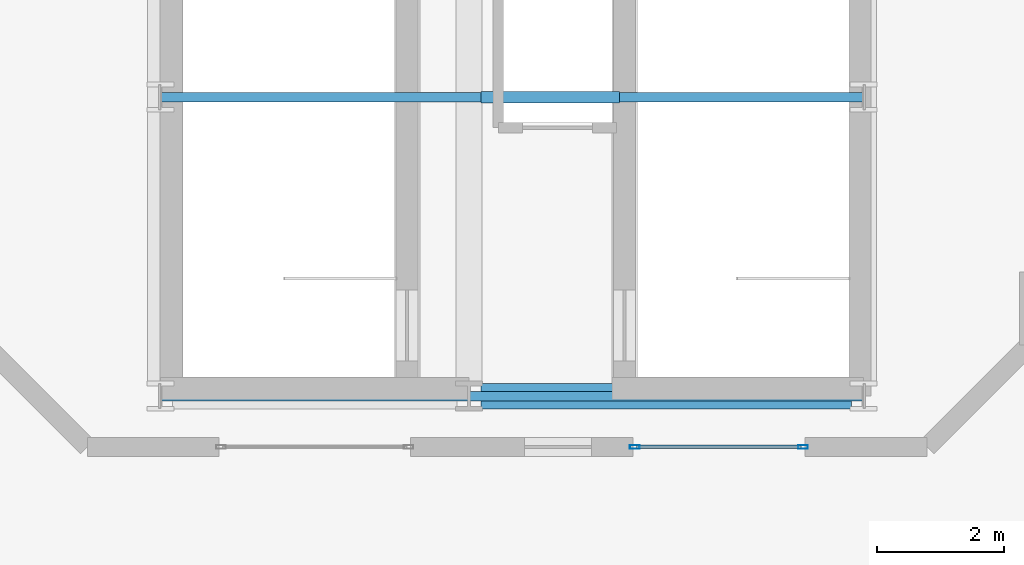
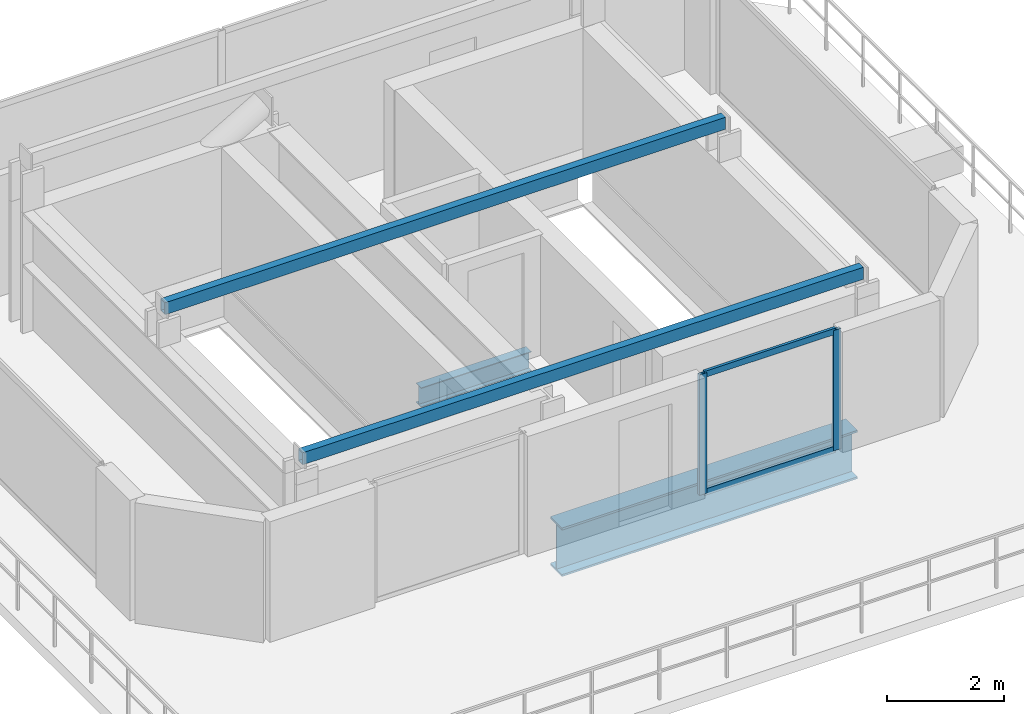
# One storey, part 3 of 9: 6 members, 2 beams, 1 element without a shape of its own.
"""IFC4 building model written with IfcOpenShell, lengths in metres."""

from ifc_helpers import new_model, si_unit, direction, frame, origin, origin_2d, place, context, subcontext, project, spatial, hollow_rectangle, i_section, extrude, material, layer, layer_set, material_profile, profile_set, type_object, element, aggregate, save


model = new_model("IFC4")

# Units and contexts
model_context = context("Model", 3, precision=1e-05, world=origin(), true_north=direction((0.0, 1.0)))
body_context = subcontext(model_context, "Body", "Model", "MODEL_VIEW")
ifc_project = project(units=[si_unit("LENGTHUNIT", "METRE"), si_unit("AREAUNIT", "SQUARE_METRE"), si_unit("VOLUMEUNIT", "CUBIC_METRE"), si_unit("PLANEANGLEUNIT", "RADIAN"), si_unit("MASSUNIT", "GRAM", prefix="KILO")], contexts=[model_context])

# Site, building, storey
site_placement = place(None, origin())
site = spatial("IfcSite", under=ifc_project, at=site_placement, CompositionType="ELEMENT")
building_placement = place(site_placement, origin())
building = spatial("IfcBuilding", under=site, at=building_placement, Name="Zuhayl Quay Hotel", CompositionType="ELEMENT")
storey_placement = place(building_placement, frame((0.0, 0.0, 316.25)))
storey = spatial("IfcBuildingStorey", under=building, at=storey_placement, Name="Crown 6", CompositionType="ELEMENT", Elevation=316.25)

# Beams
ifc_material_1 = material(Name="Steel ASTM A992 Grade 50", Category="steel")
ifc_material_profile_1 = material_profile(ifc_material_1, i_section(OverallWidth=0.177978515625, OverallDepth=0.404052734375, WebThickness=0.007568359375, FlangeThickness=0.010986328125, at=origin_2d()), Name="W16X36")
ifc_profile_set_1 = profile_set([ifc_material_profile_1], Name="Steel ASTM A992 Grade 50")
beam_type_1 = type_object("IfcBeamType", Name="BM_J3_W16X36", PredefinedType="JOIST", material=ifc_profile_set_1)
beam_1_placement = place(storey_placement, frame((-4.409912109375, 29.800048828125, -0.44189453125), z_axis=(1.0, 0.0, 0.0), x_axis=(0.0, 1.0, 0.0)))
element("IfcBeam", 1, at=beam_1_placement, inside=storey, type_object=beam_type_1, Name="Crown 6 Floor Beam CR_J_6_1", PredefinedType="JOIST", context=body_context, shape_type="SweptSolid", body=[
    extrude(i_section(OverallWidth=0.177978515625, OverallDepth=0.404052734375, WebThickness=0.007568359375, FlangeThickness=0.010986328125, at=origin_2d()), origin(), (0.0, 0.0, 1.0), 2.1748046875),
])
ifc_material_profile_2 = material_profile(ifc_material_1, i_section(OverallWidth=0.40087890625, OverallDepth=1.010986328125, WebThickness=0.023681640625, FlangeThickness=0.0419921875, at=origin_2d()), Name="W40X297")
ifc_profile_set_2 = profile_set([ifc_material_profile_2], Name="Steel ASTM A992 Grade 50")
beam_type_2 = type_object("IfcBeamType", Name="BM_TG2_W40X297", PredefinedType="BEAM", material=ifc_profile_set_2)
beam_2_placement = place(storey_placement, frame((-4.409912109375, 25.10009765625, -0.74560546875), z_axis=(1.0, 0.0, 0.0), x_axis=(0.0, 1.0, 0.0)))
element("IfcBeam", 2, at=beam_2_placement, inside=storey, type_object=beam_type_2, Name="Crown 6 Floor Beam CR_EW_6_1_2", PredefinedType="BEAM", context=body_context, shape_type="SweptSolid", body=[
    extrude(i_section(OverallWidth=0.40087890625, OverallDepth=1.010986328125, WebThickness=0.023681640625, FlangeThickness=0.0419921875, at=origin_2d()), origin(), (0.0, 0.0, 1.0), 5.81982421875),
])

# Curtain wall, members
ifc_material_2 = material(Name="Anodised Aluminium 6063-T6", Category="aluminium")
ifc_layer = layer(ifc_material_2, 0.159912109375, Name="Anodised Aluminium 6063-T6", Category="aluminium")
ifc_layer_set = layer_set([ifc_layer], Name="Anodised Aluminium 6063-T6")
curtain_wall_type = type_object("IfcCurtainWallType", Name="CW_SYS_CRN", PredefinedType="USERDEFINED", material=ifc_layer_set)
curtain_wall_placement = place(storey_placement, origin())
curtain_wall = element("IfcCurtainWall", 3, at=curtain_wall_placement, inside=storey, type_object=curtain_wall_type, Name="Crown 6 Curtain Wall ENV_CR6_E7_CW1", ObjectType="UNITISED CURTAIN WALL", PredefinedType="USERDEFINED")
ifc_material_3 = material(Name="Black-anodised aluminium 6063-T6", Category="aluminium")
ifc_material_profile_3 = material_profile(ifc_material_3, hollow_rectangle(XDim=0.06005859375, YDim=0.14990234375, WallThickness=0.00341796875, at=origin_2d()), Name="ALU150X60")
ifc_profile_set_3 = profile_set([ifc_material_profile_3], Name="Black-anodised aluminium 6063-T6")
member_type_1 = type_object("IfcMemberType", Name="MB_CW_MUL_150", PredefinedType="MULLION", material=ifc_profile_set_3)
member_1_placement = place(storey_placement, frame((0.64990234375, 24.300048828125, 0.0), z_axis=(0.0, 0.0, 1.0), x_axis=(0.0, -1.0, 0.0)))
member_1 = element("IfcMember", 4, at=member_1_placement, type_object=member_type_1, Name="CW-CRN mullion 1", PredefinedType="MULLION", context=body_context, shape_type="SweptSolid", body=[
    extrude(hollow_rectangle(XDim=0.06005859375, YDim=0.14990234375, WallThickness=0.00341796875, at=origin_2d()), origin(), (0.0, 0.0, 1.0), 2.510009765625),
])
member_2_placement = place(storey_placement, frame((-1.9951171875, 24.300048828125, 0.0), z_axis=(0.0, 0.0, 1.0), x_axis=(0.0, -1.0, 0.0)))
member_2 = element("IfcMember", 5, at=member_2_placement, type_object=member_type_1, Name="CW-CRN mullion 2", PredefinedType="MULLION", context=body_context, shape_type="SweptSolid", body=[
    extrude(hollow_rectangle(XDim=0.06005859375, YDim=0.14990234375, WallThickness=0.00341796875, at=origin_2d()), origin(), (0.0, 0.0, 1.0), 2.510009765625),
])
ifc_material_profile_4 = material_profile(ifc_material_3, hollow_rectangle(XDim=0.054931640625, YDim=0.1298828125, WallThickness=0.0029296875, at=origin_2d()), Name="ALU130X55")
ifc_profile_set_4 = profile_set([ifc_material_profile_4], Name="Black-anodised aluminium 6063-T6")
member_type_2 = type_object("IfcMemberType", Name="MB_CW_TRN_130", PredefinedType="USERDEFINED", material=ifc_profile_set_4)
member_3_placement = place(storey_placement, frame((0.6201171875, 24.300048828125, 0.027587890625), z_axis=(-1.0, 0.0, 0.0), x_axis=(0.0, -1.0, 0.0)))
member_3 = element("IfcMember", 6, at=member_3_placement, type_object=member_type_2, Name="CW-CRN transom 1.1", ObjectType="TRANSOM", PredefinedType="USERDEFINED", context=body_context, shape_type="SweptSolid", body=[
    extrude(hollow_rectangle(XDim=0.054931640625, YDim=0.1298828125, WallThickness=0.0029296875, at=origin_2d()), origin(), (0.0, 0.0, 1.0), 2.585205078125),
])
member_4_placement = place(storey_placement, frame((0.6201171875, 24.300048828125, 2.482421875), z_axis=(-1.0, 0.0, 0.0), x_axis=(0.0, -1.0, 0.0)))
member_4 = element("IfcMember", 7, at=member_4_placement, type_object=member_type_2, Name="CW-CRN transom 1.2", ObjectType="TRANSOM", PredefinedType="USERDEFINED", context=body_context, shape_type="SweptSolid", body=[
    extrude(hollow_rectangle(XDim=0.054931640625, YDim=0.1298828125, WallThickness=0.0029296875, at=origin_2d()), origin(), (0.0, 0.0, 1.0), 2.585205078125),
])
aggregate(curtain_wall, [member_1, member_2, member_3, member_4])

# Members
ifc_material_4 = material(Name="Steel ASTM A500 Grade C", Category="steel")
ifc_material_profile_5 = material_profile(ifc_material_4, hollow_rectangle(XDim=0.14990234375, YDim=0.25, WallThickness=0.010009765625, at=origin_2d()), Name="HSS250X150X10")
ifc_profile_set_5 = profile_set([ifc_material_profile_5], Name="Steel ASTM A500 Grade C")
member_type_3 = type_object("IfcMemberType", Name="MB_PR_HSS250", PredefinedType="PURLIN", material=ifc_profile_set_5)
for number, where, z_axis, x_axis, name in (
    (8, (-9.449951171875, 25.10009765625, 2.889892578125), (1.0, 0.0, 0.0), (0.0, 1.0, 0.0), "Crown 6 Ridge Purlin PR1-1"),
    (9, (-9.449951171875, 29.800048828125, 3.16650390625), (1.0, 0.0, 0.0), (0.0, 1.0, 0.0), "Crown 6 Ridge Purlin PR1-2"),
):
    element("IfcMember", number, at=place(storey_placement, frame(where, z_axis=z_axis, x_axis=x_axis)), inside=storey, type_object=member_type_3, Name=name, PredefinedType="PURLIN", context=body_context, shape_type="SweptSolid", body=[
        extrude(hollow_rectangle(XDim=0.14990234375, YDim=0.25, WallThickness=0.010009765625, at=origin_2d()), origin(), (0.0, 0.0, 1.0), 11.050048828125),
    ])

save(model, "model.ifc")
